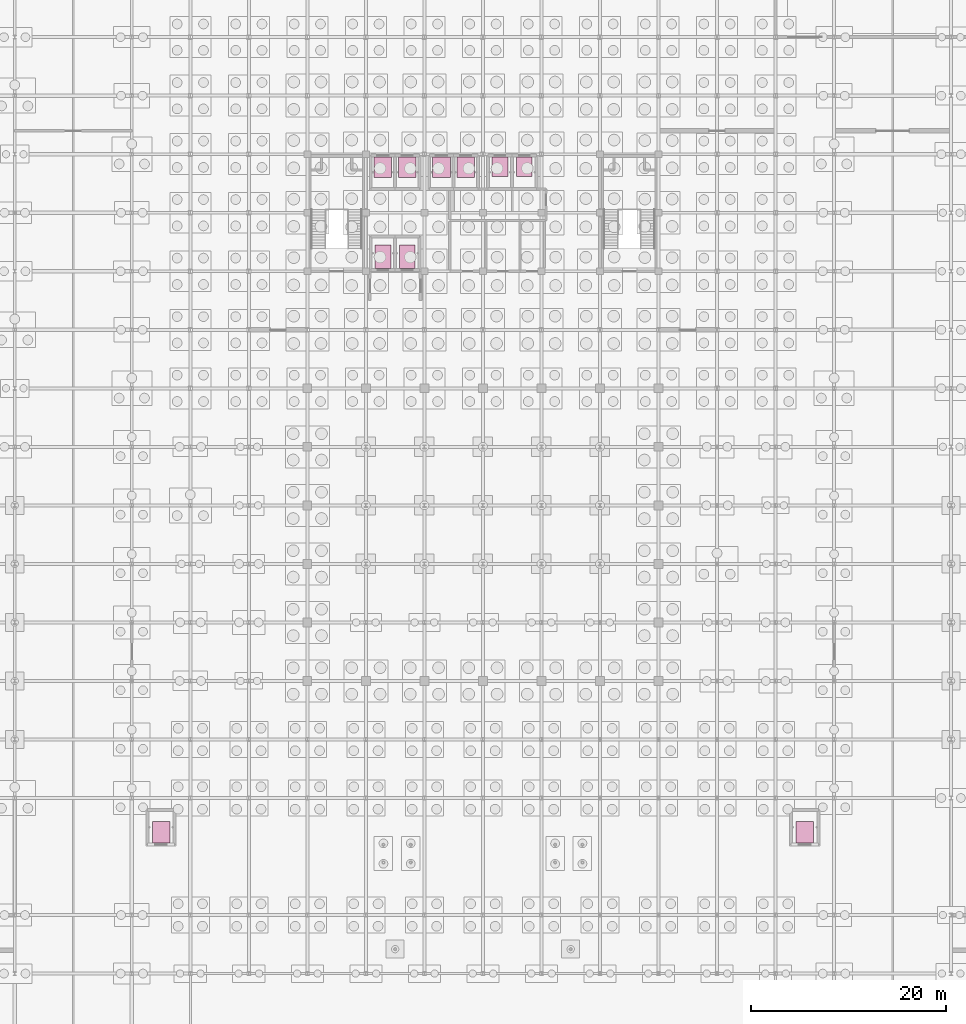
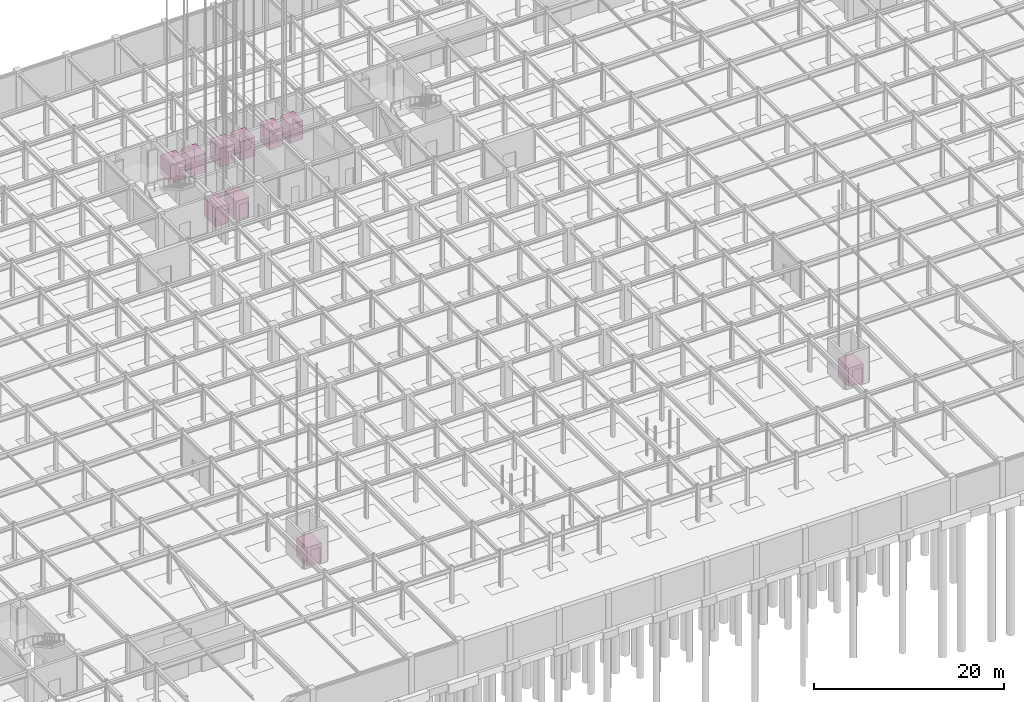
# One storey, part 69 of 69: 10 transport elements.
"""IFC4 building model written with IfcOpenShell, lengths in metres."""

from ifc_helpers import new_model, si_unit, direction, frame, origin, origin_2d, place, context, subcontext, project, spatial, rectangle, extrude, material, type_object, element, save


model = new_model("IFC4")

# Units and contexts
model_context = context("Model", 3, precision=1e-05, world=origin(), true_north=direction((0.0, 1.0)))
body_context = subcontext(model_context, "Body", "Model", "MODEL_VIEW")
ifc_project = project(units=[si_unit("LENGTHUNIT", "METRE"), si_unit("AREAUNIT", "SQUARE_METRE"), si_unit("VOLUMEUNIT", "CUBIC_METRE"), si_unit("PLANEANGLEUNIT", "RADIAN"), si_unit("MASSUNIT", "GRAM", prefix="KILO")], contexts=[model_context])

# Site, building, storey
site_placement = place(None, origin())
site = spatial("IfcSite", under=ifc_project, at=site_placement, CompositionType="ELEMENT")
building_placement = place(site_placement, origin())
building = spatial("IfcBuilding", under=site, at=building_placement, Name="Zlatovratsky Civic Hall", CompositionType="ELEMENT")
storey_placement = place(building_placement, frame((0.0, 0.0, -4.800048828125)))
storey = spatial("IfcBuildingStorey", under=building, at=storey_placement, Name="B1", CompositionType="ELEMENT", Elevation=-4.800048828125)

# Transport elements
ifc_material = material(Name="Brushed stainless steel AISI 304", Category="steel")
transport_element_type_1 = type_object("IfcTransportElementType", Name="Lift_LF01", PredefinedType="ELEVATOR", material=ifc_material)
transport_element_1_placement = place(storey_placement, frame((73.75, 85.5, 0.0), z_axis=(0.0, 0.0, 1.0), x_axis=(1.0, 0.0, 0.0)))
element("IfcTransportElement", 1, at=transport_element_1_placement, inside=storey, type_object=transport_element_type_1, Name="Firefighting Lift LF-01", PredefinedType="ELEVATOR", context=body_context, shape_type="SweptSolid", body=[
    extrude(rectangle(XDim=1.60009765625, YDim=2.39990234375, at=origin_2d()), origin(), (0.0, 0.0, 1.0), 2.39990234375),
])
transport_element_type_2 = type_object("IfcTransportElementType", Name="Lift_LF02", PredefinedType="ELEVATOR", material=ifc_material)
transport_element_2_placement = place(storey_placement, frame((76.25, 85.5, 0.0), z_axis=(0.0, 0.0, 1.0), x_axis=(1.0, 0.0, 0.0)))
element("IfcTransportElement", 2, at=transport_element_2_placement, inside=storey, type_object=transport_element_type_2, Name="Firefighting Lift LF-02", PredefinedType="ELEVATOR", context=body_context, shape_type="SweptSolid", body=[
    extrude(rectangle(XDim=1.60009765625, YDim=2.39990234375, at=origin_2d()), origin(), (0.0, 0.0, 1.0), 2.39990234375),
])
transport_element_type_3 = type_object("IfcTransportElementType", Name="Lift_LP01", PredefinedType="ELEVATOR", material=ifc_material)
transport_element_3_placement = place(storey_placement, frame((73.75, 94.64990234375, 0.0), z_axis=(0.0, 0.0, 1.0), x_axis=(1.0, 0.0, 0.0)))
element("IfcTransportElement", 3, at=transport_element_3_placement, inside=storey, type_object=transport_element_type_3, Name="Passenger Lift LP-01", PredefinedType="ELEVATOR", context=body_context, shape_type="SweptSolid", body=[
    extrude(rectangle(XDim=1.800048828125, YDim=2.10009765625, at=origin_2d()), origin(), (0.0, 0.0, 1.0), 2.39990234375),
])
transport_element_type_4 = type_object("IfcTransportElementType", Name="Lift_LP02", PredefinedType="ELEVATOR", material=ifc_material)
transport_element_4_placement = place(storey_placement, frame((76.25, 94.64990234375, 0.0), z_axis=(0.0, 0.0, 1.0), x_axis=(1.0, 0.0, 0.0)))
element("IfcTransportElement", 4, at=transport_element_4_placement, inside=storey, type_object=transport_element_type_4, Name="Passenger Lift LP-02", PredefinedType="ELEVATOR", context=body_context, shape_type="SweptSolid", body=[
    extrude(rectangle(XDim=1.800048828125, YDim=2.10009765625, at=origin_2d()), origin(), (0.0, 0.0, 1.0), 2.39990234375),
])
transport_element_type_5 = type_object("IfcTransportElementType", Name="Lift_LP03", PredefinedType="ELEVATOR", material=ifc_material)
transport_element_5_placement = place(storey_placement, frame((79.75, 94.64990234375, 0.0), z_axis=(0.0, 0.0, 1.0), x_axis=(1.0, 0.0, 0.0)))
element("IfcTransportElement", 5, at=transport_element_5_placement, inside=storey, type_object=transport_element_type_5, Name="Passenger Lift LP-03", PredefinedType="ELEVATOR", context=body_context, shape_type="SweptSolid", body=[
    extrude(rectangle(XDim=1.800048828125, YDim=2.10009765625, at=origin_2d()), origin(), (0.0, 0.0, 1.0), 2.39990234375),
])
transport_element_type_6 = type_object("IfcTransportElementType", Name="Lift_LP04", PredefinedType="ELEVATOR", material=ifc_material)
transport_element_6_placement = place(storey_placement, frame((82.25, 94.64990234375, 0.0), z_axis=(0.0, 0.0, 1.0), x_axis=(1.0, 0.0, 0.0)))
element("IfcTransportElement", 6, at=transport_element_6_placement, inside=storey, type_object=transport_element_type_6, Name="Passenger Lift LP-04", PredefinedType="ELEVATOR", context=body_context, shape_type="SweptSolid", body=[
    extrude(rectangle(XDim=1.800048828125, YDim=2.10009765625, at=origin_2d()), origin(), (0.0, 0.0, 1.0), 2.39990234375),
])
transport_element_type_7 = type_object("IfcTransportElementType", Name="Lift_LP05", PredefinedType="ELEVATOR", material=ifc_material)
transport_element_7_placement = place(storey_placement, frame((85.75, 94.699951171875, 0.0), z_axis=(0.0, 0.0, 1.0), x_axis=(1.0, 0.0, 0.0)))
element("IfcTransportElement", 7, at=transport_element_7_placement, inside=storey, type_object=transport_element_type_7, Name="Passenger Lift LP-05", PredefinedType="ELEVATOR", context=body_context, shape_type="SweptSolid", body=[
    extrude(rectangle(XDim=1.60009765625, YDim=2.0, at=origin_2d()), origin(), (0.0, 0.0, 1.0), 2.39990234375),
])
transport_element_type_8 = type_object("IfcTransportElementType", Name="Lift_LP06", PredefinedType="ELEVATOR", material=ifc_material)
transport_element_8_placement = place(storey_placement, frame((88.25, 94.699951171875, 0.0), z_axis=(0.0, 0.0, 1.0), x_axis=(1.0, 0.0, 0.0)))
element("IfcTransportElement", 8, at=transport_element_8_placement, inside=storey, type_object=transport_element_type_8, Name="Passenger Lift LP-06", PredefinedType="ELEVATOR", context=body_context, shape_type="SweptSolid", body=[
    extrude(rectangle(XDim=1.60009765625, YDim=2.0, at=origin_2d()), origin(), (0.0, 0.0, 1.0), 2.39990234375),
])
transport_element_type_9 = type_object("IfcTransportElementType", Name="Lift_LP07", PredefinedType="ELEVATOR", material=ifc_material)
transport_element_9_placement = place(storey_placement, frame((51.0, 26.5, 0.0), z_axis=(0.0, 0.0, 1.0), x_axis=(1.0, 0.0, 0.0)))
element("IfcTransportElement", 9, at=transport_element_9_placement, inside=storey, type_object=transport_element_type_9, Name="Passenger Lift LP-07", PredefinedType="ELEVATOR", context=body_context, shape_type="SweptSolid", body=[
    extrude(rectangle(XDim=1.800048828125, YDim=2.199951171875, at=origin_2d()), origin(), (0.0, 0.0, 1.0), 2.39990234375),
])
transport_element_type_10 = type_object("IfcTransportElementType", Name="Lift_LP08", PredefinedType="ELEVATOR", material=ifc_material)
transport_element_10_placement = place(storey_placement, frame((117.0, 26.5, 0.0), z_axis=(0.0, 0.0, 1.0), x_axis=(1.0, 0.0, 0.0)))
element("IfcTransportElement", 10, at=transport_element_10_placement, inside=storey, type_object=transport_element_type_10, Name="Passenger Lift LP-08", PredefinedType="ELEVATOR", context=body_context, shape_type="SweptSolid", body=[
    extrude(rectangle(XDim=1.800048828125, YDim=2.199951171875, at=origin_2d()), origin(), (0.0, 0.0, 1.0), 2.39990234375),
])

save(model, "model.ifc")
